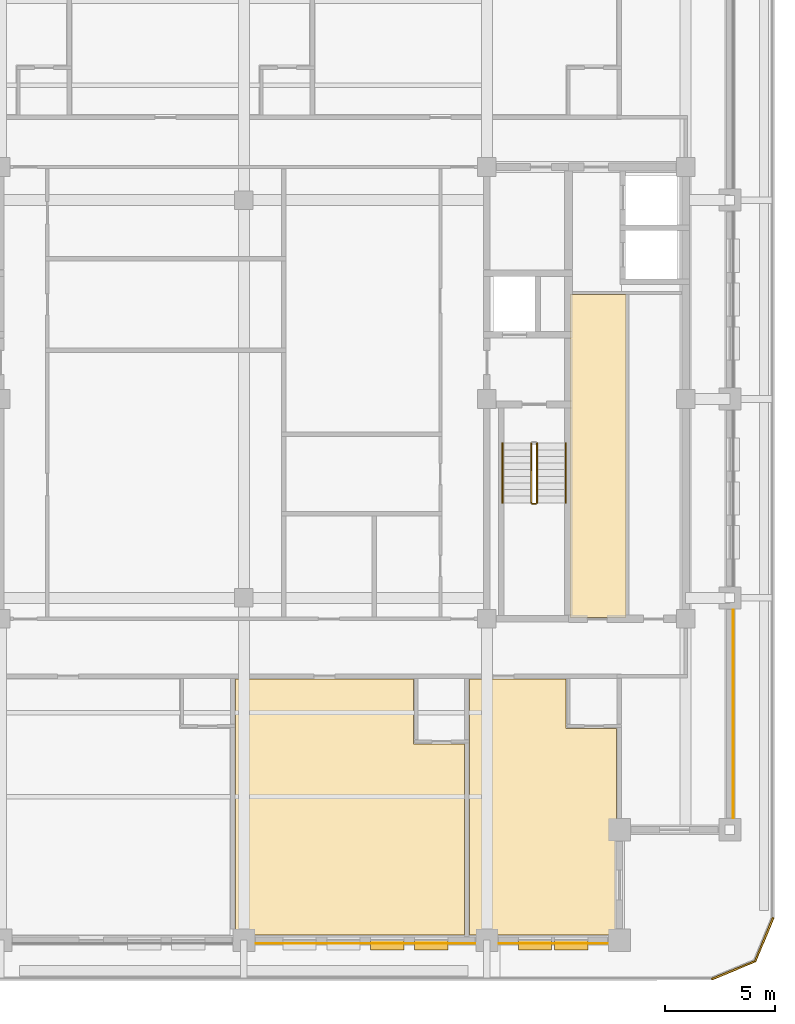
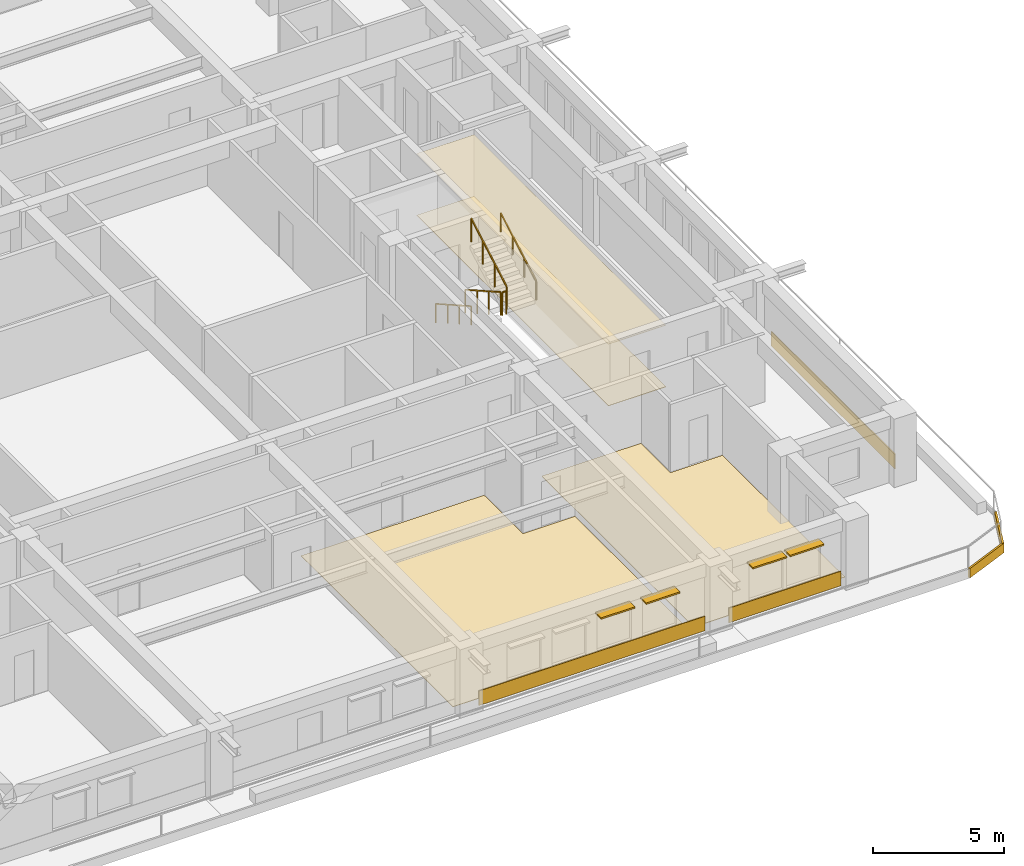
# One storey, part 12 of 14: 9 coverings, 5 railings, 4 shading devices.
"""IFC4 building model written with IfcOpenShell, lengths in metres."""

from ifc_helpers import new_model, si_unit, direction, frame, frame_2d, origin, origin_2d, place, context, subcontext, project, spatial, polyline, rectangle, outline, extrude, material, layer, layer_set, type_object, element, save


model = new_model("IFC4")

# Units and contexts
model_context = context("Model", 3, precision=1e-05, world=origin(), true_north=direction((0.0, 1.0)))
body_context = subcontext(model_context, "Body", "Model", "MODEL_VIEW")
ifc_project = project(units=[si_unit("LENGTHUNIT", "METRE"), si_unit("AREAUNIT", "SQUARE_METRE"), si_unit("VOLUMEUNIT", "CUBIC_METRE"), si_unit("PLANEANGLEUNIT", "RADIAN"), si_unit("MASSUNIT", "GRAM", prefix="KILO")], contexts=[model_context])

# Site, building, storey
site_placement = place(None, origin())
site = spatial("IfcSite", under=ifc_project, at=site_placement, CompositionType="ELEMENT")
building_placement = place(site_placement, origin())
building = spatial("IfcBuilding", under=site, at=building_placement, Name="Zulmaris Gate Convention Tower", CompositionType="ELEMENT")
storey_placement = place(building_placement, frame((0.0, 0.0, 198.260009765625)))
storey = spatial("IfcBuildingStorey", under=building, at=storey_placement, Name="L51", CompositionType="ELEMENT", Elevation=198.260009765625)

# Coverings
ifc_material_1 = material(Name="Precast concrete C40/50", Category="concrete")
ifc_layer_1 = layer(ifc_material_1, 0.0400390625, Name="Precast concrete C40/50")
ifc_layer_set_1 = layer_set([ifc_layer_1], Name="Precast concrete C40/50")
covering_type_1 = type_object("IfcCoveringType", Name="CLAD-SPANDREL-PRECAST", PredefinedType="CLADDING", material=ifc_layer_set_1)
covering_1_placement = place(storey_placement, frame((0.530029296875, -24.64990234375, 0.0), z_axis=(0.0, 0.0, 1.0), x_axis=(1.0, 0.0, 0.0)))
element("IfcCovering", 1, at=covering_1_placement, inside=storey, type_object=covering_type_1, Name="CLD-L51-S-2_0", PredefinedType="CLADDING", context=body_context, shape_type="SweptSolid", body=[
    extrude(rectangle(XDim=9.93994140625, YDim=0.0400390625, at=frame_2d((4.969970703125, 0.0))), origin(), (0.0, 0.0, 1.0), 0.679931640625),
])
covering_2_placement = place(storey_placement, frame((11.530029296875, -24.64990234375, 0.0), z_axis=(0.0, 0.0, 1.0), x_axis=(1.0, 0.0, 0.0)))
element("IfcCovering", 2, at=covering_2_placement, inside=storey, type_object=covering_type_1, Name="CLD-L51-S-3_0", PredefinedType="CLADDING", context=body_context, shape_type="SweptSolid", body=[
    extrude(rectangle(XDim=4.93994140625, YDim=0.0400390625, at=frame_2d((2.469970703125, 0.0))), origin(), (0.0, 0.0, 1.0), 0.679931640625),
])
covering_3_placement = place(storey_placement, frame((22.14990234375, -18.969970703125, 0.0), z_axis=(0.0, 0.0, 1.0), x_axis=(0.0, 1.0, 0.0)))
element("IfcCovering", 3, at=covering_3_placement, inside=storey, type_object=covering_type_1, Name="CLD-L51-E-0_0", PredefinedType="CLADDING", context=body_context, shape_type="SweptSolid", body=[
    extrude(rectangle(XDim=9.43994140625, YDim=0.0400390625, at=frame_2d((4.719970703125, 0.0))), origin(), (0.0, 0.0, 1.0), 0.679931640625),
])
ifc_material_2 = material(Name="White Glazed Architectural Precast Concrete C40/50", Category="concrete")
ifc_layer_2 = layer(ifc_material_2, 0.080078125, Name="White Glazed Architectural Precast Concrete C40/50")
ifc_layer_set_2 = layer_set([ifc_layer_2], Name="White Glazed Architectural Precast Concrete C40/50")
covering_type_2 = type_object("IfcCoveringType", Name="CLAD-TRAY-FASCIA", PredefinedType="CLADDING", material=ifc_layer_set_2)
covering_4_placement = place(storey_placement, frame((21.184814453125, -26.262939453125, -0.31494140625), z_axis=(0.0, 0.0, 1.0), x_axis=(0.923873803533, 0.382697263049, 0.0)))
element("IfcCovering", 4, at=covering_4_placement, inside=storey, type_object=covering_type_2, Name="FSC-L51-TR-03", PredefinedType="CLADDING", context=body_context, shape_type="SweptSolid", body=[
    extrude(rectangle(XDim=2.142822265625, YDim=0.080078125, at=frame_2d((1.0712890625, 0.0))), origin(), (0.0, 0.0, 1.0), 0.43994140625),
])
covering_5_placement = place(storey_placement, frame((23.142822265625, -25.464599609375, -0.31494140625), z_axis=(0.0, 0.0, 1.0), x_axis=(0.382656984709, 0.923890487046, 0.0)))
element("IfcCovering", 5, at=covering_5_placement, inside=storey, type_object=covering_type_2, Name="FSC-L51-TR-04", PredefinedType="CLADDING", context=body_context, shape_type="SweptSolid", body=[
    extrude(rectangle(XDim=2.14306640625, YDim=0.080078125, at=frame_2d((1.071533203125, 0.0))), origin(), (0.0, 0.0, 1.0), 0.43994140625),
])
ifc_material_3 = material(Name="Mineral Fibre Acoustic Ceiling Tile")
ifc_layer_3 = layer(ifc_material_3, 0.02001953125, Name="Mineral Fibre Acoustic Ceiling Tile")
ifc_layer_set_3 = layer_set([ifc_layer_3], Name="Mineral Fibre Acoustic Ceiling Tile")
covering_type_3 = type_object("IfcCoveringType", Name="CLG-ACOUSTIC-600", PredefinedType="CEILING", material=ifc_layer_set_3)
covering_6_placement = place(storey_placement, frame((0.0, 0.0, 2.869873046875)))
element("IfcCovering", 6, at=covering_6_placement, inside=storey, type_object=covering_type_3, Name="CLG-L51-R24", PredefinedType="CEILING", context=body_context, shape_type="SweptSolid", body=[
    extrude(outline(polyline([(14.760009765625, -9.889892578125), (17.2900390625, -9.889892578125), (17.2900390625, 4.739990234375), (14.760009765625, 4.739990234375), (14.760009765625, -9.889892578125)])), origin(), (0.0, 0.0, 1.0), 0.02001953125),
])
ifc_material_4 = material(Name="Woven Acoustic Wool Carpet Tile")
ifc_layer_4 = layer(ifc_material_4, 0.02001953125, Name="Woven Acoustic Wool Carpet Tile")
ifc_layer_set_4 = layer_set([ifc_layer_4], Name="Woven Acoustic Wool Carpet Tile")
covering_type_4 = type_object("IfcCoveringType", Name="FLR-CARPET-12", PredefinedType="FLOORING", material=ifc_layer_set_4)
covering_7_placement = place(storey_placement, origin())
element("IfcCovering", 7, at=covering_7_placement, inside=storey, type_object=covering_type_4, Name="FLR-L51-R24", PredefinedType="FLOORING", context=body_context, shape_type="SweptSolid", body=[
    extrude(outline(polyline([(14.760009765625, -9.889892578125), (17.2900390625, -9.889892578125), (17.2900390625, 4.739990234375), (14.760009765625, 4.739990234375), (14.760009765625, -9.889892578125)])), origin(), (0.0, 0.0, 1.0), 0.02001953125),
])
ifc_material_5 = material(Name="Engineered Teak Parquet Flooring")
ifc_layer_5 = layer(ifc_material_5, 0.02001953125, Name="Engineered Teak Parquet Flooring")
ifc_layer_set_5 = layer_set([ifc_layer_5], Name="Engineered Teak Parquet Flooring")
covering_type_5 = type_object("IfcCoveringType", Name="FLR-TIMBER-18", PredefinedType="FLOORING", material=ifc_layer_set_5)
covering_8_placement = place(storey_placement, origin())
element("IfcCovering", 8, at=covering_8_placement, inside=storey, type_object=covering_type_5, Name="FLR-L51-R43", PredefinedType="FLOORING", context=body_context, shape_type="SweptSolid", body=[
    extrude(outline(polyline([(-0.3798828125, -24.260009765625), (9.97998046875, -24.260009765625), (9.97998046875, -15.6201171875), (7.679931640625, -15.6201171875), (7.679931640625, -12.669921875), (-0.3798828125, -12.669921875), (-0.3798828125, -24.260009765625)])), origin(), (0.0, 0.0, 1.0), 0.02001953125),
])
covering_9_placement = place(storey_placement, origin())
element("IfcCovering", 9, at=covering_9_placement, inside=storey, type_object=covering_type_5, Name="FLR-L51-R45", PredefinedType="FLOORING", context=body_context, shape_type="SweptSolid", body=[
    extrude(outline(polyline([(10.219970703125, -24.260009765625), (16.8798828125, -24.260009765625), (16.8798828125, -14.919921875), (14.580078125, -14.919921875), (14.580078125, -12.669921875), (10.219970703125, -12.669921875), (10.219970703125, -24.260009765625)])), origin(), (0.0, 0.0, 1.0), 0.02001953125),
])

# Railings
ifc_material_6 = material(Name="Painted Galvanised Steel", Category="steel")
railing_type_1 = type_object("IfcRailingType", Name="RL-STG-1150", PredefinedType="GUARDRAIL", material=ifc_material_6)
railing_1_placement = place(storey_placement, frame((13.010009765625, -2.0, 0.169921875)))
element("IfcRailing", 10, at=railing_1_placement, inside=storey, type_object=railing_type_1, Name="L51 ST-2 stair guard 1", PredefinedType="GUARDRAIL", context=body_context, shape_type="SweptSolid", body=[
    extrude(rectangle(XDim=0.048095703125, YDim=0.048095703125, at=origin_2d()), frame((0.0, 0.0, 1.076171875), z_axis=(0.0, -0.870014312096, 0.49302646658), x_axis=(1.0, 0.0, 0.0)), (0.0, 0.0, 1.0), 3.103271484375),
    extrude(rectangle(XDim=0.0419921875, YDim=0.0419921875, at=origin_2d()), origin(), (0.0, 0.0, 1.0), 1.052001953125),
    extrude(rectangle(XDim=0.0419921875, YDim=0.0419921875, at=origin_2d()), frame((0.0, -0.89990234375, 0.510009765625)), (0.0, 0.0, 1.0), 1.052001953125),
    extrude(rectangle(XDim=0.0419921875, YDim=0.0419921875, at=origin_2d()), frame((0.0, -1.800048828125, 1.02001953125)), (0.0, 0.0, 1.0), 1.052001953125),
    extrude(rectangle(XDim=0.0419921875, YDim=0.0419921875, at=origin_2d()), frame((0.0, -2.699951171875, 1.530029296875)), (0.0, 0.0, 1.0), 1.052001953125),
])
railing_2_placement = place(storey_placement, frame((13.06005859375, -4.75, 1.699951171875)))
element("IfcRailing", 11, at=railing_2_placement, inside=storey, type_object=railing_type_1, Name="L51 ST-2 stair guard 2", PredefinedType="GUARDRAIL", context=body_context, shape_type="SweptSolid", body=[
    extrude(rectangle(XDim=0.048095703125, YDim=0.048095703125, at=origin_2d()), frame((0.0, 0.0, 1.076171875), z_axis=(1.0, 0.0, 0.0), x_axis=(0.0, 1.0, 0.0)), (0.0, 0.0, 1.0), 0.159912109375),
    extrude(rectangle(XDim=0.0419921875, YDim=0.0419921875, at=origin_2d()), origin(), (0.0, 0.0, 1.0), 1.052001953125),
    extrude(rectangle(XDim=0.0419921875, YDim=0.0419921875, at=origin_2d()), frame((0.159912109375, 0.0, 0.0)), (0.0, 0.0, 1.0), 1.052001953125),
])
railing_3_placement = place(storey_placement, frame((13.27001953125, -4.699951171875, 1.869873046875)))
element("IfcRailing", 12, at=railing_3_placement, inside=storey, type_object=railing_type_1, Name="L51 ST-2 stair guard 3", PredefinedType="GUARDRAIL", context=body_context, shape_type="SweptSolid", body=[
    extrude(rectangle(XDim=0.048095703125, YDim=0.048095703125, at=origin_2d()), frame((0.0, 0.0, 1.076171875), z_axis=(0.0, 0.870014312096, 0.49302646658), x_axis=(-1.0, 0.0, 0.0)), (0.0, 0.0, 1.0), 3.103271484375),
    extrude(rectangle(XDim=0.0419921875, YDim=0.0419921875, at=origin_2d()), origin(), (0.0, 0.0, 1.0), 1.052001953125),
    extrude(rectangle(XDim=0.0419921875, YDim=0.0419921875, at=origin_2d()), frame((0.0, 0.89990234375, 0.510009765625)), (0.0, 0.0, 1.0), 1.052001953125),
    extrude(rectangle(XDim=0.0419921875, YDim=0.0419921875, at=origin_2d()), frame((0.0, 1.800048828125, 1.02001953125)), (0.0, 0.0, 1.0), 1.052001953125),
    extrude(rectangle(XDim=0.0419921875, YDim=0.0419921875, at=origin_2d()), frame((0.0, 2.699951171875, 1.530029296875)), (0.0, 0.0, 1.0), 1.052001953125),
])
ifc_material_7 = material(Name="Brushed Stainless Steel", Category="steel")
railing_type_2 = type_object("IfcRailingType", Name="RL-STH-900", PredefinedType="HANDRAIL", material=ifc_material_7)
railing_4_placement = place(storey_placement, frame((11.7099609375, -2.0, 0.169921875)))
element("IfcRailing", 13, at=railing_4_placement, inside=storey, type_object=railing_type_2, Name="L51 ST-2 stair handrail 1", PredefinedType="HANDRAIL", context=body_context, shape_type="SweptSolid", body=[
    extrude(rectangle(XDim=0.048095703125, YDim=0.048095703125, at=origin_2d()), frame((0.0, 0.0, 0.8759765625), z_axis=(0.0, -0.870014312096, 0.49302646658), x_axis=(1.0, 0.0, 0.0)), (0.0, 0.0, 1.0), 3.103271484375),
    extrude(rectangle(XDim=0.0419921875, YDim=0.0419921875, at=origin_2d()), origin(), (0.0, 0.0, 1.0), 0.851806640625),
    extrude(rectangle(XDim=0.0419921875, YDim=0.0419921875, at=origin_2d()), frame((0.0, -0.89990234375, 0.510009765625)), (0.0, 0.0, 1.0), 0.851806640625),
    extrude(rectangle(XDim=0.0419921875, YDim=0.0419921875, at=origin_2d()), frame((0.0, -1.800048828125, 1.02001953125)), (0.0, 0.0, 1.0), 0.851806640625),
    extrude(rectangle(XDim=0.0419921875, YDim=0.0419921875, at=origin_2d()), frame((0.0, -2.699951171875, 1.530029296875)), (0.0, 0.0, 1.0), 0.851806640625),
])
railing_5_placement = place(storey_placement, frame((14.570068359375, -4.699951171875, 1.869873046875)))
element("IfcRailing", 14, at=railing_5_placement, inside=storey, type_object=railing_type_2, Name="L51 ST-2 stair handrail 2", PredefinedType="HANDRAIL", context=body_context, shape_type="SweptSolid", body=[
    extrude(rectangle(XDim=0.048095703125, YDim=0.048095703125, at=origin_2d()), frame((0.0, 0.0, 0.8759765625), z_axis=(0.0, 0.870014312096, 0.49302646658), x_axis=(-1.0, 0.0, 0.0)), (0.0, 0.0, 1.0), 3.103271484375),
    extrude(rectangle(XDim=0.0419921875, YDim=0.0419921875, at=origin_2d()), origin(), (0.0, 0.0, 1.0), 0.851806640625),
    extrude(rectangle(XDim=0.0419921875, YDim=0.0419921875, at=origin_2d()), frame((0.0, 0.89990234375, 0.510009765625)), (0.0, 0.0, 1.0), 0.851806640625),
    extrude(rectangle(XDim=0.0419921875, YDim=0.0419921875, at=origin_2d()), frame((0.0, 1.800048828125, 1.02001953125)), (0.0, 0.0, 1.0), 0.851806640625),
    extrude(rectangle(XDim=0.0419921875, YDim=0.0419921875, at=origin_2d()), frame((0.0, 2.699951171875, 1.530029296875)), (0.0, 0.0, 1.0), 0.851806640625),
])

# Shading devices
ifc_material_8 = material(Name="Glazed Ceramic Terracotta", Category="masonry")
ifc_layer_6 = layer(ifc_material_8, 0.070068359375, Name="Glazed Ceramic Terracotta")
ifc_layer_set_6 = layer_set([ifc_layer_6], Name="Glazed Ceramic Terracotta")
shading_device_type = type_object("IfcShadingDeviceType", Name="SHD-SUNSHADE-TC", PredefinedType="AWNING", material=ifc_layer_set_6)
for number, where, z_axis, x_axis, name in (
    (15, (5.743896484375, -24.719970703125, 2.35009765625), (0.0, 0.0, 1.0), (1.0, 0.0, 0.0), "SHD-EW-L51-S-2_0-3"),
    (16, (7.73193359375, -24.719970703125, 2.35009765625), (0.0, 0.0, 1.0), (1.0, 0.0, 0.0), "SHD-EW-L51-S-2_0-4"),
    (17, (12.427001953125, -24.719970703125, 2.35009765625), (0.0, 0.0, 1.0), (1.0, 0.0, 0.0), "SHD-EW-L51-S-3_0-1"),
    (18, (14.072998046875, -24.719970703125, 2.35009765625), (0.0, 0.0, 1.0), (1.0, 0.0, 0.0), "SHD-EW-L51-S-3_0-2"),
):
    element("IfcShadingDevice", number, at=place(storey_placement, frame(where, z_axis=z_axis, x_axis=x_axis)), inside=storey, type_object=shading_device_type, Name=name, PredefinedType="AWNING", context=body_context, shape_type="SweptSolid", body=[
        extrude(rectangle(XDim=1.5, YDim=0.43994140625, at=frame_2d((0.75, 0.0))), origin(), (0.0, 0.0, 1.0), 0.06982421875),
    ])

save(model, "model.ifc")
